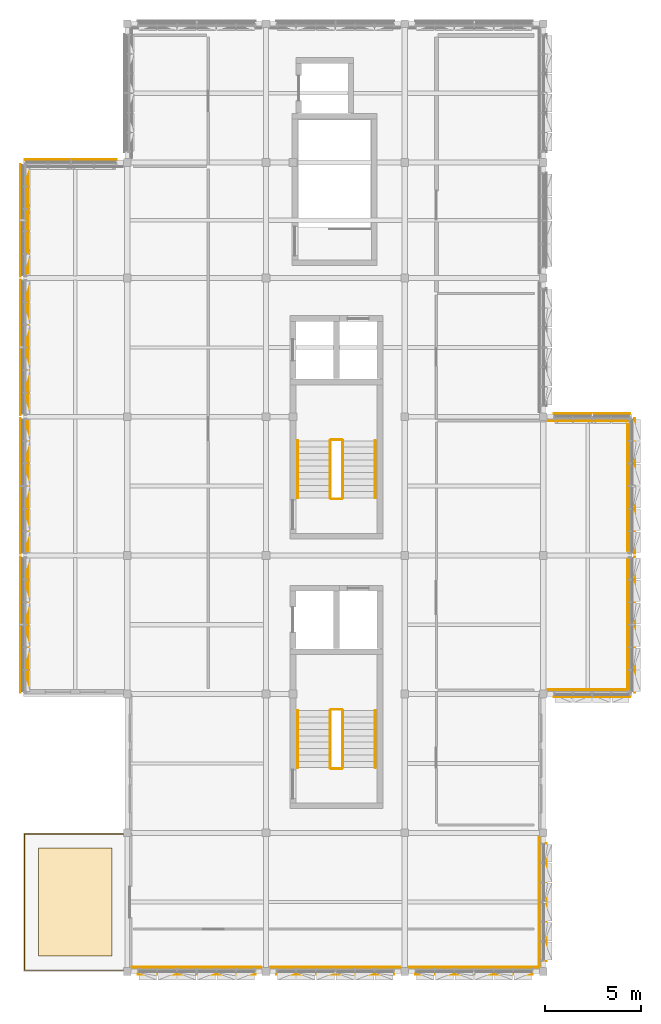
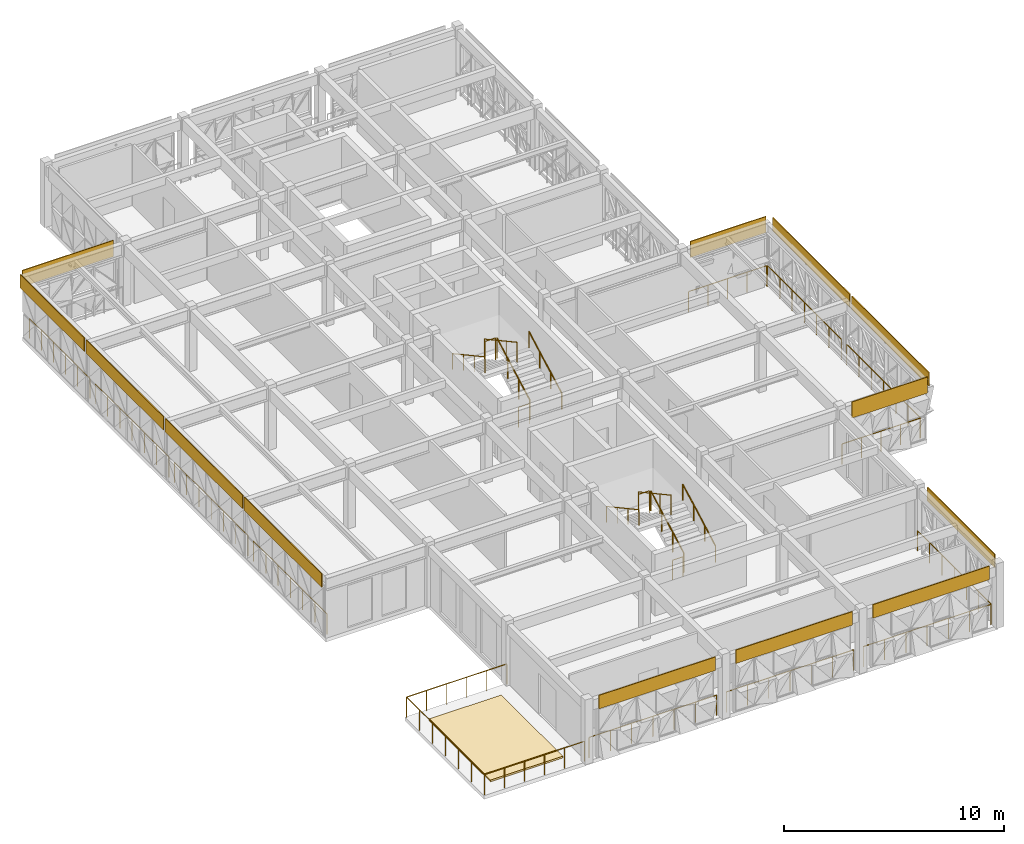
# One storey, part 20 of 25: 25 railings, 14 coverings.
"""IFC4 building model written with IfcOpenShell, lengths in metres."""

from ifc_helpers import new_model, si_unit, direction, frame, origin, origin_2d, place, context, subcontext, project, spatial, polyline, circle, outline, extrude, material, layer, layer_set, type_object, element, save


model = new_model("IFC4")

# Units and contexts
model_context = context("Model", 3, precision=1e-05, world=origin(), true_north=direction((0.0, 1.0)))
body_context = subcontext(model_context, "Body", "Model", "MODEL_VIEW")
ifc_project = project(units=[si_unit("LENGTHUNIT", "METRE"), si_unit("AREAUNIT", "SQUARE_METRE"), si_unit("VOLUMEUNIT", "CUBIC_METRE"), si_unit("PLANEANGLEUNIT", "RADIAN"), si_unit("MASSUNIT", "GRAM", prefix="KILO")], contexts=[model_context])

# Site, building, storey
site_placement = place(None, origin())
site = spatial("IfcSite", under=ifc_project, at=site_placement, CompositionType="ELEMENT")
building_placement = place(site_placement, origin())
building = spatial("IfcBuilding", under=site, at=building_placement, Name="Alvorim Cloister Faculty of Sciences", CompositionType="ELEMENT")
storey_placement = place(building_placement, frame((0.0, 0.0, 29.699951171875)))
storey = spatial("IfcBuildingStorey", under=building, at=storey_placement, Name="L08", CompositionType="ELEMENT", Elevation=29.699951171875)

# Coverings
ifc_material_1 = material(Name="Anodised Aluminium Alloy 6063-T6", Category="aluminium")
ifc_layer_1 = layer(ifc_material_1, 0.031982421875)
ifc_layer_set_1 = layer_set([ifc_layer_1], Name="Anodised Aluminium Alloy 6063-T6")
covering_type_1 = type_object("IfcCoveringType", Name="COV-FAC-CAS", PredefinedType="CLADDING", material=ifc_layer_set_1)
for number, where, z_axis, x_axis, name in (
    (1, (1.64990234375, 21.679931640625, 2.84716796875), (0.0, 0.0, 1.0), (0.0, 1.0, 0.0), "L08 Shifted Bar Slab-Edge Architectural Fascia"),
    (2, (1.64990234375, 28.8798828125, 2.84716796875), (0.0, 0.0, 1.0), (0.0, 1.0, 0.0), "L08 Shifted Bar Slab-Edge Architectural Fascia"),
    (3, (1.64990234375, 36.080078125, 2.84716796875), (0.0, 0.0, 1.0), (0.0, 1.0, 0.0), "L08 Shifted Bar Slab-Edge Architectural Fascia"),
):
    element("IfcCovering", number, at=place(storey_placement, frame(where, z_axis=z_axis, x_axis=x_axis)), inside=storey, type_object=covering_type_1, Name=name, PredefinedType="CLADDING", context=body_context, shape_type="SweptSolid", body=[
        extrude(outline(polyline([(0.0, 0.0), (7.0400390625, 0.0), (7.0400390625, 0.742919921875), (0.0, 0.742919921875), (0.0, 0.0)])), frame((0.0, 0.0224609375, 0.0), z_axis=(0.0, -1.0, 0.0), x_axis=(1.0, 0.0, 0.0)), (0.0, 0.0, 1.0), 0.044921875),
    ])
covering_1_placement = place(storey_placement, frame((1.64990234375, 43.280029296875, 2.84716796875), z_axis=(0.0, 0.0, 1.0), x_axis=(0.0, 1.0, 0.0)))
element("IfcCovering", 4, at=covering_1_placement, inside=storey, type_object=covering_type_1, Name="L08 Shifted Bar Slab-Edge Architectural Fascia", PredefinedType="CLADDING", context=body_context, shape_type="SweptSolid", body=[
    extrude(outline(polyline([(0.0, 0.0), (5.840087890625, 0.0), (5.840087890625, 0.742919921875), (0.0, 0.742919921875), (0.0, 0.0)])), frame((0.0, 0.0224609375, 0.0), z_axis=(0.0, -1.0, 0.0), x_axis=(1.0, 0.0, 0.0)), (0.0, 0.0, 1.0), 0.044921875),
])
covering_2_placement = place(storey_placement, frame((1.8798828125, 49.35009765625, 2.696044921875), z_axis=(0.0, 0.0, 1.0), x_axis=(1.0, 0.0, 0.0)))
element("IfcCovering", 5, at=covering_2_placement, inside=storey, type_object=covering_type_1, Name="L08 Shifted Bar Slab-Edge Architectural Fascia", PredefinedType="CLADDING", context=body_context, shape_type="SweptSolid", body=[
    extrude(outline(polyline([(0.0, 0.0), (4.780029296875, 0.0), (4.780029296875, 0.89404296875), (0.0, 0.89404296875), (0.0, 0.0)])), frame((0.0, 0.0224609375, 0.0), z_axis=(0.0, -1.0, 0.0), x_axis=(1.0, 0.0, 0.0)), (0.0, 0.0, 1.0), 0.044921875),
])
covering_3_placement = place(storey_placement, frame((29.340087890625, 36.14990234375, 2.696044921875), z_axis=(0.0, 0.0, 1.0), x_axis=(1.0, 0.0, 0.0)))
element("IfcCovering", 6, at=covering_3_placement, inside=storey, type_object=covering_type_1, Name="L08 Shifted Bar Slab-Edge Architectural Fascia", PredefinedType="CLADDING", context=body_context, shape_type="SweptSolid", body=[
    extrude(outline(polyline([(0.0, 0.0), (3.97998046875, 0.0), (3.97998046875, 0.89404296875), (0.0, 0.89404296875), (0.0, 0.0)])), frame((0.0, 0.0224609375, 0.0), z_axis=(0.0, -1.0, 0.0), x_axis=(1.0, 0.0, 0.0)), (0.0, 0.0, 1.0), 0.044921875),
])
for number, where, z_axis, x_axis, name in (
    (7, (33.550048828125, 28.8798828125, 2.84716796875), (0.0, 0.0, 1.0), (0.0, 1.0, 0.0), "L08 Shifted Bar Slab-Edge Architectural Fascia"),
    (8, (33.550048828125, 21.679931640625, 2.84716796875), (0.0, 0.0, 1.0), (0.0, 1.0, 0.0), "L08 Shifted Bar Slab-Edge Architectural Fascia"),
):
    element("IfcCovering", number, at=place(storey_placement, frame(where, z_axis=z_axis, x_axis=x_axis)), inside=storey, type_object=covering_type_1, Name=name, PredefinedType="CLADDING", context=body_context, shape_type="SweptSolid", body=[
        extrude(outline(polyline([(0.0, 0.0), (7.0400390625, 0.0), (7.0400390625, 0.742919921875), (0.0, 0.742919921875), (0.0, 0.0)])), frame((0.0, 0.0224609375, 0.0), z_axis=(0.0, -1.0, 0.0), x_axis=(1.0, 0.0, 0.0)), (0.0, 0.0, 1.0), 0.044921875),
    ])
covering_4_placement = place(storey_placement, frame((29.340087890625, 21.449951171875, 2.696044921875), z_axis=(0.0, 0.0, 1.0), x_axis=(1.0, 0.0, 0.0)))
element("IfcCovering", 9, at=covering_4_placement, inside=storey, type_object=covering_type_1, Name="L08 Shifted Bar Slab-Edge Architectural Fascia", PredefinedType="CLADDING", context=body_context, shape_type="SweptSolid", body=[
    extrude(outline(polyline([(0.0, 0.0), (3.97998046875, 0.0), (3.97998046875, 0.89404296875), (0.0, 0.89404296875), (0.0, 0.0)])), frame((0.0, 0.0224609375, 0.0), z_axis=(0.0, -1.0, 0.0), x_axis=(1.0, 0.0, 0.0)), (0.0, 0.0, 1.0), 0.044921875),
])
for number, where, z_axis, x_axis, name in (
    (10, (28.949951171875, 7.739990234375, 2.840087890625), (0.0, 0.0, 1.0), (0.0, 1.0, 0.0), "L08 Shifted Bar Slab-Edge Architectural Fascia"),
    (11, (22.139892578125, 7.050048828125, 2.840087890625), (0.0, 0.0, 1.0), (1.0, 0.0, 0.0), "L08 Shifted Bar Slab-Edge Architectural Fascia"),
    (12, (14.93994140625, 7.050048828125, 2.840087890625), (0.0, 0.0, 1.0), (1.0, 0.0, 0.0), "L08 Shifted Bar Slab-Edge Architectural Fascia"),
    (13, (7.739990234375, 7.050048828125, 2.840087890625), (0.0, 0.0, 1.0), (1.0, 0.0, 0.0), "L08 Shifted Bar Slab-Edge Architectural Fascia"),
):
    element("IfcCovering", number, at=place(storey_placement, frame(where, z_axis=z_axis, x_axis=x_axis)), inside=storey, type_object=covering_type_1, Name=name, PredefinedType="CLADDING", context=body_context, shape_type="SweptSolid", body=[
        extrude(outline(polyline([(0.0, 0.0), (6.1201171875, 0.0), (6.1201171875, 0.75), (0.0, 0.75), (0.0, 0.0)])), frame((0.0, 0.0224609375, 0.0), z_axis=(0.0, -1.0, 0.0), x_axis=(1.0, 0.0, 0.0)), (0.0, 0.0, 1.0), 0.044921875),
    ])
ifc_material_2 = material(Name="Intensive Vegetated Substrate", Category="earth")
ifc_layer_2 = layer(ifc_material_2, 0.10009765625)
ifc_layer_set_2 = layer_set([ifc_layer_2], Name="Intensive Vegetated Substrate")
covering_type_2 = type_object("IfcCoveringType", Name="COV-ROOF-GREEN", PredefinedType="ROOFING", material=ifc_layer_set_2)
covering_5_placement = place(storey_placement, origin())
element("IfcCovering", 14, at=covering_5_placement, inside=storey, type_object=covering_type_2, Name="L08 South-West Cantilever Sky Terrace Quota Ambiental Vegetated Substrate", PredefinedType="ROOFING", context=body_context, shape_type="SweptSolid", body=[
    extrude(outline(polyline([(2.60009765625, 8.0), (6.39990234375, 8.0), (6.39990234375, 13.60009765625), (2.60009765625, 13.60009765625), (2.60009765625, 8.0)])), origin(), (0.0, 0.0, 1.0), 0.10009765625),
])

# Railings
ifc_material_3 = material(Name="Laminated Safety Glass and Bronze", Category="glass")
railing_type_1 = type_object("IfcRailingType", Name="RL-ATR-BAL-1150", PredefinedType="BALUSTRADE", material=ifc_material_3)
for number, where, name in (
    (15, (2.02001953125, 21.85009765625, 0.0), "L08 Curtain Wall Sill Guard BL-275"),
    (16, (2.02001953125, 29.050048828125, 0.0), "L08 Curtain Wall Sill Guard BL-276"),
    (17, (2.02001953125, 36.25, 0.0), "L08 Curtain Wall Sill Guard BL-277"),
):
    element("IfcRailing", number, at=place(storey_placement, frame(where)), inside=storey, type_object=railing_type_1, Name=name, PredefinedType="BALUSTRADE", context=body_context, shape_type="SweptSolid", body=[
        extrude(circle(Radius=0.02392578125, at=origin_2d()), frame((0.0, 0.0, 1.1259765625), z_axis=(0.0, 1.0, 0.0), x_axis=(-1.0, 0.0, 0.0)), (0.0, 0.0, 1.0), 6.699951171875),
        extrude(circle(Radius=0.02099609375, at=origin_2d()), origin(), (0.0, 0.0, 1.0), 1.101806640625),
        extrude(circle(Radius=0.02099609375, at=origin_2d()), frame((0.0, 1.11669921875, 0.0)), (0.0, 0.0, 1.0), 1.101806640625),
        extrude(circle(Radius=0.02099609375, at=origin_2d()), frame((0.0, 2.2333984375, 0.0)), (0.0, 0.0, 1.0), 1.101806640625),
        extrude(circle(Radius=0.02099609375, at=origin_2d()), frame((0.0, 3.35009765625, 0.0)), (0.0, 0.0, 1.0), 1.101806640625),
        extrude(circle(Radius=0.02099609375, at=origin_2d()), frame((0.0, 4.466552734375, 0.0)), (0.0, 0.0, 1.0), 1.101806640625),
        extrude(circle(Radius=0.02099609375, at=origin_2d()), frame((0.0, 5.583251953125, 0.0)), (0.0, 0.0, 1.0), 1.101806640625),
        extrude(circle(Radius=0.02099609375, at=origin_2d()), frame((0.0, 6.699951171875, 0.0)), (0.0, 0.0, 1.0), 1.101806640625),
    ])
railing_1_placement = place(storey_placement, frame((2.02001953125, 43.449951171875, 0.0)))
element("IfcRailing", 18, at=railing_1_placement, inside=storey, type_object=railing_type_1, Name="L08 Curtain Wall Sill Guard BL-278", PredefinedType="BALUSTRADE", context=body_context, shape_type="SweptSolid", body=[
    extrude(circle(Radius=0.02392578125, at=origin_2d()), frame((0.0, 0.0, 1.1259765625), z_axis=(0.0, 1.0, 0.0), x_axis=(-1.0, 0.0, 0.0)), (0.0, 0.0, 1.0), 5.5),
    extrude(circle(Radius=0.02099609375, at=origin_2d()), origin(), (0.0, 0.0, 1.0), 1.101806640625),
    extrude(circle(Radius=0.02099609375, at=origin_2d()), frame((0.0, 1.10009765625, 0.0)), (0.0, 0.0, 1.0), 1.101806640625),
    extrude(circle(Radius=0.02099609375, at=origin_2d()), frame((0.0, 2.199951171875, 0.0)), (0.0, 0.0, 1.0), 1.101806640625),
    extrude(circle(Radius=0.02099609375, at=origin_2d()), frame((0.0, 3.300048828125, 0.0)), (0.0, 0.0, 1.0), 1.101806640625),
    extrude(circle(Radius=0.02099609375, at=origin_2d()), frame((0.0, 4.39990234375, 0.0)), (0.0, 0.0, 1.0), 1.101806640625),
    extrude(circle(Radius=0.02099609375, at=origin_2d()), frame((0.0, 5.5, 0.0)), (0.0, 0.0, 1.0), 1.101806640625),
])
railing_2_placement = place(storey_placement, frame((29.050048828125, 35.780029296875, 0.0)))
element("IfcRailing", 19, at=railing_2_placement, inside=storey, type_object=railing_type_1, Name="L08 Curtain Wall Sill Guard BL-287", PredefinedType="BALUSTRADE", context=body_context, shape_type="SweptSolid", body=[
    extrude(circle(Radius=0.02392578125, at=origin_2d()), frame((0.0, 0.0, 1.1259765625), z_axis=(1.0, 0.0, 0.0), x_axis=(0.0, 1.0, 0.0)), (0.0, 0.0, 1.0), 4.099853515625),
    extrude(circle(Radius=0.02099609375, at=origin_2d()), origin(), (0.0, 0.0, 1.0), 1.101806640625),
    extrude(circle(Radius=0.02099609375, at=origin_2d()), frame((1.02490234375, 0.0, 0.0)), (0.0, 0.0, 1.0), 1.101806640625),
    extrude(circle(Radius=0.02099609375, at=origin_2d()), frame((2.0498046875, 0.0, 0.0)), (0.0, 0.0, 1.0), 1.101806640625),
    extrude(circle(Radius=0.02099609375, at=origin_2d()), frame((3.074951171875, 0.0, 0.0)), (0.0, 0.0, 1.0), 1.101806640625),
    extrude(circle(Radius=0.02099609375, at=origin_2d()), frame((4.099853515625, 0.0, 0.0)), (0.0, 0.0, 1.0), 1.101806640625),
])
for number, where, name in (
    (20, (33.179931640625, 29.050048828125, 0.0), "L08 Curtain Wall Sill Guard BL-288"),
    (21, (33.179931640625, 21.85009765625, 0.0), "L08 Curtain Wall Sill Guard BL-289"),
):
    element("IfcRailing", number, at=place(storey_placement, frame(where)), inside=storey, type_object=railing_type_1, Name=name, PredefinedType="BALUSTRADE", context=body_context, shape_type="SweptSolid", body=[
        extrude(circle(Radius=0.02392578125, at=origin_2d()), frame((0.0, 0.0, 1.1259765625), z_axis=(0.0, 1.0, 0.0), x_axis=(-1.0, 0.0, 0.0)), (0.0, 0.0, 1.0), 6.699951171875),
        extrude(circle(Radius=0.02099609375, at=origin_2d()), origin(), (0.0, 0.0, 1.0), 1.101806640625),
        extrude(circle(Radius=0.02099609375, at=origin_2d()), frame((0.0, 1.11669921875, 0.0)), (0.0, 0.0, 1.0), 1.101806640625),
        extrude(circle(Radius=0.02099609375, at=origin_2d()), frame((0.0, 2.2333984375, 0.0)), (0.0, 0.0, 1.0), 1.101806640625),
        extrude(circle(Radius=0.02099609375, at=origin_2d()), frame((0.0, 3.35009765625, 0.0)), (0.0, 0.0, 1.0), 1.101806640625),
        extrude(circle(Radius=0.02099609375, at=origin_2d()), frame((0.0, 4.466552734375, 0.0)), (0.0, 0.0, 1.0), 1.101806640625),
        extrude(circle(Radius=0.02099609375, at=origin_2d()), frame((0.0, 5.583251953125, 0.0)), (0.0, 0.0, 1.0), 1.101806640625),
        extrude(circle(Radius=0.02099609375, at=origin_2d()), frame((0.0, 6.699951171875, 0.0)), (0.0, 0.0, 1.0), 1.101806640625),
    ])
railing_3_placement = place(storey_placement, frame((29.050048828125, 21.820068359375, 0.0)))
element("IfcRailing", 22, at=railing_3_placement, inside=storey, type_object=railing_type_1, Name="L08 Curtain Wall Sill Guard BL-290", PredefinedType="BALUSTRADE", context=body_context, shape_type="SweptSolid", body=[
    extrude(circle(Radius=0.02392578125, at=origin_2d()), frame((0.0, 0.0, 1.1259765625), z_axis=(1.0, 0.0, 0.0), x_axis=(0.0, 1.0, 0.0)), (0.0, 0.0, 1.0), 4.099853515625),
    extrude(circle(Radius=0.02099609375, at=origin_2d()), origin(), (0.0, 0.0, 1.0), 1.101806640625),
    extrude(circle(Radius=0.02099609375, at=origin_2d()), frame((1.02490234375, 0.0, 0.0)), (0.0, 0.0, 1.0), 1.101806640625),
    extrude(circle(Radius=0.02099609375, at=origin_2d()), frame((2.0498046875, 0.0, 0.0)), (0.0, 0.0, 1.0), 1.101806640625),
    extrude(circle(Radius=0.02099609375, at=origin_2d()), frame((3.074951171875, 0.0, 0.0)), (0.0, 0.0, 1.0), 1.101806640625),
    extrude(circle(Radius=0.02099609375, at=origin_2d()), frame((4.099853515625, 0.0, 0.0)), (0.0, 0.0, 1.0), 1.101806640625),
])
railing_4_placement = place(storey_placement, frame((28.580078125, 7.449951171875, 0.0)))
element("IfcRailing", 23, at=railing_4_placement, inside=storey, type_object=railing_type_1, Name="L08 Curtain Wall Sill Guard BL-291", PredefinedType="BALUSTRADE", context=body_context, shape_type="SweptSolid", body=[
    extrude(circle(Radius=0.02392578125, at=origin_2d()), frame((0.0, 0.0, 1.1259765625), z_axis=(0.0, 1.0, 0.0), x_axis=(-1.0, 0.0, 0.0)), (0.0, 0.0, 1.0), 6.699951171875),
    extrude(circle(Radius=0.02099609375, at=origin_2d()), origin(), (0.0, 0.0, 1.0), 1.101806640625),
    extrude(circle(Radius=0.02099609375, at=origin_2d()), frame((0.0, 1.11669921875, 0.0)), (0.0, 0.0, 1.0), 1.101806640625),
    extrude(circle(Radius=0.02099609375, at=origin_2d()), frame((0.0, 2.2333984375, 0.0)), (0.0, 0.0, 1.0), 1.101806640625),
    extrude(circle(Radius=0.02099609375, at=origin_2d()), frame((0.0, 3.35009765625, 0.0)), (0.0, 0.0, 1.0), 1.101806640625),
    extrude(circle(Radius=0.02099609375, at=origin_2d()), frame((0.0, 4.466552734375, 0.0)), (0.0, 0.0, 1.0), 1.101806640625),
    extrude(circle(Radius=0.02099609375, at=origin_2d()), frame((0.0, 5.583251953125, 0.0)), (0.0, 0.0, 1.0), 1.101806640625),
    extrude(circle(Radius=0.02099609375, at=origin_2d()), frame((0.0, 6.699951171875, 0.0)), (0.0, 0.0, 1.0), 1.101806640625),
])
railing_5_placement = place(storey_placement, frame((21.85009765625, 7.419921875, 0.0)))
element("IfcRailing", 24, at=railing_5_placement, inside=storey, type_object=railing_type_1, Name="L08 Curtain Wall Sill Guard BL-292", PredefinedType="BALUSTRADE", context=body_context, shape_type="SweptSolid", body=[
    extrude(circle(Radius=0.02392578125, at=origin_2d()), frame((0.0, 0.0, 1.1259765625), z_axis=(1.0, 0.0, 0.0), x_axis=(0.0, 1.0, 0.0)), (0.0, 0.0, 1.0), 6.699951171875),
    extrude(circle(Radius=0.02099609375, at=origin_2d()), origin(), (0.0, 0.0, 1.0), 1.101806640625),
    extrude(circle(Radius=0.02099609375, at=origin_2d()), frame((1.11669921875, 0.0, 0.0)), (0.0, 0.0, 1.0), 1.101806640625),
    extrude(circle(Radius=0.02099609375, at=origin_2d()), frame((2.2333984375, 0.0, 0.0)), (0.0, 0.0, 1.0), 1.101806640625),
    extrude(circle(Radius=0.02099609375, at=origin_2d()), frame((3.35009765625, 0.0, 0.0)), (0.0, 0.0, 1.0), 1.101806640625),
    extrude(circle(Radius=0.02099609375, at=origin_2d()), frame((4.466552734375, 0.0, 0.0)), (0.0, 0.0, 1.0), 1.101806640625),
    extrude(circle(Radius=0.02099609375, at=origin_2d()), frame((5.583251953125, 0.0, 0.0)), (0.0, 0.0, 1.0), 1.101806640625),
    extrude(circle(Radius=0.02099609375, at=origin_2d()), frame((6.699951171875, 0.0, 0.0)), (0.0, 0.0, 1.0), 1.101806640625),
])
railing_6_placement = place(storey_placement, frame((14.64990234375, 7.419921875, 0.0)))
element("IfcRailing", 25, at=railing_6_placement, inside=storey, type_object=railing_type_1, Name="L08 Curtain Wall Sill Guard BL-293", PredefinedType="BALUSTRADE", context=body_context, shape_type="SweptSolid", body=[
    extrude(circle(Radius=0.02392578125, at=origin_2d()), frame((0.0, 0.0, 1.1259765625), z_axis=(1.0, 0.0, 0.0), x_axis=(0.0, 1.0, 0.0)), (0.0, 0.0, 1.0), 6.7001953125),
    extrude(circle(Radius=0.02099609375, at=origin_2d()), origin(), (0.0, 0.0, 1.0), 1.101806640625),
    extrude(circle(Radius=0.02099609375, at=origin_2d()), frame((1.11669921875, 0.0, 0.0)), (0.0, 0.0, 1.0), 1.101806640625),
    extrude(circle(Radius=0.02099609375, at=origin_2d()), frame((2.2333984375, 0.0, 0.0)), (0.0, 0.0, 1.0), 1.101806640625),
    extrude(circle(Radius=0.02099609375, at=origin_2d()), frame((3.35009765625, 0.0, 0.0)), (0.0, 0.0, 1.0), 1.101806640625),
    extrude(circle(Radius=0.02099609375, at=origin_2d()), frame((4.466796875, 0.0, 0.0)), (0.0, 0.0, 1.0), 1.101806640625),
    extrude(circle(Radius=0.02099609375, at=origin_2d()), frame((5.58349609375, 0.0, 0.0)), (0.0, 0.0, 1.0), 1.101806640625),
    extrude(circle(Radius=0.02099609375, at=origin_2d()), frame((6.7001953125, 0.0, 0.0)), (0.0, 0.0, 1.0), 1.101806640625),
])
railing_7_placement = place(storey_placement, frame((7.449951171875, 7.419921875, 0.0)))
element("IfcRailing", 26, at=railing_7_placement, inside=storey, type_object=railing_type_1, Name="L08 Curtain Wall Sill Guard BL-294", PredefinedType="BALUSTRADE", context=body_context, shape_type="SweptSolid", body=[
    extrude(circle(Radius=0.02392578125, at=origin_2d()), frame((0.0, 0.0, 1.1259765625), z_axis=(1.0, 0.0, 0.0), x_axis=(0.0, 1.0, 0.0)), (0.0, 0.0, 1.0), 6.699951171875),
    extrude(circle(Radius=0.02099609375, at=origin_2d()), origin(), (0.0, 0.0, 1.0), 1.101806640625),
    extrude(circle(Radius=0.02099609375, at=origin_2d()), frame((1.11669921875, 0.0, 0.0)), (0.0, 0.0, 1.0), 1.101806640625),
    extrude(circle(Radius=0.02099609375, at=origin_2d()), frame((2.2333984375, 0.0, 0.0)), (0.0, 0.0, 1.0), 1.101806640625),
    extrude(circle(Radius=0.02099609375, at=origin_2d()), frame((3.35009765625, 0.0, 0.0)), (0.0, 0.0, 1.0), 1.101806640625),
    extrude(circle(Radius=0.02099609375, at=origin_2d()), frame((4.466552734375, 0.0, 0.0)), (0.0, 0.0, 1.0), 1.101806640625),
    extrude(circle(Radius=0.02099609375, at=origin_2d()), frame((5.583251953125, 0.0, 0.0)), (0.0, 0.0, 1.0), 1.101806640625),
    extrude(circle(Radius=0.02099609375, at=origin_2d()), frame((6.699951171875, 0.0, 0.0)), (0.0, 0.0, 1.0), 1.101806640625),
])
ifc_material_4 = material(Name="Galvanised Painted Steel", Category="steel")
railing_type_2 = type_object("IfcRailingType", Name="RL-STR-GUARD", PredefinedType="GUARDRAIL", material=ifc_material_4)
railing_8_placement = place(storey_placement, frame((18.389892578125, 17.780029296875, 0.179931640625)))
element("IfcRailing", 27, at=railing_8_placement, inside=storey, type_object=railing_type_2, Name="L08 ST-01 stair guard 1", PredefinedType="GUARDRAIL", context=body_context, shape_type="SweptSolid", body=[
    extrude(circle(Radius=0.02392578125, at=origin_2d()), frame((0.0, 0.0, 1.09619140625), z_axis=(0.0, 0.877879025156, 0.47888246699), x_axis=(-1.0, 0.0, 0.0)), (0.0, 0.0, 1.0), 3.383056640625),
    extrude(circle(Radius=0.02099609375, at=origin_2d()), origin(), (0.0, 0.0, 1.0), 1.072021484375),
    extrude(circle(Radius=0.02099609375, at=origin_2d()), frame((0.0, 0.989990234375, 0.5400390625)), (0.0, 0.0, 1.0), 1.072021484375),
    extrude(circle(Radius=0.02099609375, at=origin_2d()), frame((0.0, 1.97998046875, 1.080078125)), (0.0, 0.0, 1.0), 1.072021484375),
    extrude(circle(Radius=0.02099609375, at=origin_2d()), frame((0.0, 2.969970703125, 1.6201171875)), (0.0, 0.0, 1.0), 1.072021484375),
])
railing_9_placement = place(storey_placement, frame((18.340087890625, 20.800048828125, 1.800048828125)))
element("IfcRailing", 28, at=railing_9_placement, inside=storey, type_object=railing_type_2, Name="L08 ST-01 stair guard 2", PredefinedType="GUARDRAIL", context=body_context, shape_type="SweptSolid", body=[
    extrude(circle(Radius=0.02392578125, at=origin_2d()), frame((0.0, 0.0, 1.09619140625), z_axis=(-1.0, 0.0, 0.0), x_axis=(0.0, -1.0, 0.0)), (0.0, 0.0, 1.0), 0.56005859375),
    extrude(circle(Radius=0.02099609375, at=origin_2d()), origin(), (0.0, 0.0, 1.0), 1.072021484375),
    extrude(circle(Radius=0.02099609375, at=origin_2d()), frame((-0.56005859375, 0.0, 0.0)), (0.0, 0.0, 1.0), 1.072021484375),
])
railing_10_placement = place(storey_placement, frame((17.72998046875, 20.75, 1.97998046875)))
element("IfcRailing", 29, at=railing_10_placement, inside=storey, type_object=railing_type_2, Name="L08 ST-01 stair guard 3", PredefinedType="GUARDRAIL", context=body_context, shape_type="SweptSolid", body=[
    extrude(circle(Radius=0.02392578125, at=origin_2d()), frame((0.0, 0.0, 1.09619140625), z_axis=(0.0, -0.877879025156, 0.47888246699), x_axis=(1.0, 0.0, 0.0)), (0.0, 0.0, 1.0), 3.383056640625),
    extrude(circle(Radius=0.02099609375, at=origin_2d()), origin(), (0.0, 0.0, 1.0), 1.072021484375),
    extrude(circle(Radius=0.02099609375, at=origin_2d()), frame((0.0, -0.989990234375, 0.5400390625)), (0.0, 0.0, 1.0), 1.072021484375),
    extrude(circle(Radius=0.02099609375, at=origin_2d()), frame((0.0, -1.97998046875, 1.080078125)), (0.0, 0.0, 1.0), 1.072021484375),
    extrude(circle(Radius=0.02099609375, at=origin_2d()), frame((0.0, -2.969970703125, 1.6201171875)), (0.0, 0.0, 1.0), 1.072021484375),
])
railing_11_placement = place(storey_placement, frame((18.340087890625, 17.72998046875, 0.0)))
element("IfcRailing", 30, at=railing_11_placement, inside=storey, type_object=railing_type_2, Name="L08 ST-01 stair guard 4", PredefinedType="GUARDRAIL", context=body_context, shape_type="SweptSolid", body=[
    extrude(circle(Radius=0.02392578125, at=origin_2d()), frame((0.0, 0.0, 1.09619140625), z_axis=(-1.0, 0.0, 0.0), x_axis=(0.0, -1.0, 0.0)), (0.0, 0.0, 1.0), 0.56005859375),
    extrude(circle(Radius=0.02099609375, at=origin_2d()), origin(), (0.0, 0.0, 1.0), 1.072021484375),
    extrude(circle(Radius=0.02099609375, at=origin_2d()), frame((-0.56005859375, 0.0, 0.0)), (0.0, 0.0, 1.0), 1.072021484375),
])
railing_12_placement = place(storey_placement, frame((18.389892578125, 31.780029296875, 0.179931640625)))
element("IfcRailing", 31, at=railing_12_placement, inside=storey, type_object=railing_type_2, Name="L08 ST-02 stair guard 1", PredefinedType="GUARDRAIL", context=body_context, shape_type="SweptSolid", body=[
    extrude(circle(Radius=0.02392578125, at=origin_2d()), frame((0.0, 0.0, 1.09619140625), z_axis=(0.0, 0.877879025156, 0.47888246699), x_axis=(-1.0, 0.0, 0.0)), (0.0, 0.0, 1.0), 3.383056640625),
    extrude(circle(Radius=0.02099609375, at=origin_2d()), origin(), (0.0, 0.0, 1.0), 1.072021484375),
    extrude(circle(Radius=0.02099609375, at=origin_2d()), frame((0.0, 0.989990234375, 0.5400390625)), (0.0, 0.0, 1.0), 1.072021484375),
    extrude(circle(Radius=0.02099609375, at=origin_2d()), frame((0.0, 1.97998046875, 1.080078125)), (0.0, 0.0, 1.0), 1.072021484375),
    extrude(circle(Radius=0.02099609375, at=origin_2d()), frame((0.0, 2.969970703125, 1.6201171875)), (0.0, 0.0, 1.0), 1.072021484375),
])
railing_13_placement = place(storey_placement, frame((18.340087890625, 34.800048828125, 1.800048828125)))
element("IfcRailing", 32, at=railing_13_placement, inside=storey, type_object=railing_type_2, Name="L08 ST-02 stair guard 2", PredefinedType="GUARDRAIL", context=body_context, shape_type="SweptSolid", body=[
    extrude(circle(Radius=0.02392578125, at=origin_2d()), frame((0.0, 0.0, 1.09619140625), z_axis=(-1.0, 0.0, 0.0), x_axis=(0.0, -1.0, 0.0)), (0.0, 0.0, 1.0), 0.56005859375),
    extrude(circle(Radius=0.02099609375, at=origin_2d()), origin(), (0.0, 0.0, 1.0), 1.072021484375),
    extrude(circle(Radius=0.02099609375, at=origin_2d()), frame((-0.56005859375, 0.0, 0.0)), (0.0, 0.0, 1.0), 1.072021484375),
])
railing_14_placement = place(storey_placement, frame((17.72998046875, 34.75, 1.97998046875)))
element("IfcRailing", 33, at=railing_14_placement, inside=storey, type_object=railing_type_2, Name="L08 ST-02 stair guard 3", PredefinedType="GUARDRAIL", context=body_context, shape_type="SweptSolid", body=[
    extrude(circle(Radius=0.02392578125, at=origin_2d()), frame((0.0, 0.0, 1.09619140625), z_axis=(0.0, -0.877879025156, 0.47888246699), x_axis=(1.0, 0.0, 0.0)), (0.0, 0.0, 1.0), 3.383056640625),
    extrude(circle(Radius=0.02099609375, at=origin_2d()), origin(), (0.0, 0.0, 1.0), 1.072021484375),
    extrude(circle(Radius=0.02099609375, at=origin_2d()), frame((0.0, -0.989990234375, 0.5400390625)), (0.0, 0.0, 1.0), 1.072021484375),
    extrude(circle(Radius=0.02099609375, at=origin_2d()), frame((0.0, -1.97998046875, 1.080078125)), (0.0, 0.0, 1.0), 1.072021484375),
    extrude(circle(Radius=0.02099609375, at=origin_2d()), frame((0.0, -2.969970703125, 1.6201171875)), (0.0, 0.0, 1.0), 1.072021484375),
])
railing_15_placement = place(storey_placement, frame((18.340087890625, 31.72998046875, 0.0)))
element("IfcRailing", 34, at=railing_15_placement, inside=storey, type_object=railing_type_2, Name="L08 ST-02 stair guard 4", PredefinedType="GUARDRAIL", context=body_context, shape_type="SweptSolid", body=[
    extrude(circle(Radius=0.02392578125, at=origin_2d()), frame((0.0, 0.0, 1.09619140625), z_axis=(-1.0, 0.0, 0.0), x_axis=(0.0, -1.0, 0.0)), (0.0, 0.0, 1.0), 0.56005859375),
    extrude(circle(Radius=0.02099609375, at=origin_2d()), origin(), (0.0, 0.0, 1.0), 1.072021484375),
    extrude(circle(Radius=0.02099609375, at=origin_2d()), frame((-0.56005859375, 0.0, 0.0)), (0.0, 0.0, 1.0), 1.072021484375),
])
ifc_material_5 = material(Name="Brushed Stainless Steel", Category="steel")
railing_type_3 = type_object("IfcRailingType", Name="RL-STR-HAND", PredefinedType="HANDRAIL", material=ifc_material_5)
railing_16_placement = place(storey_placement, frame((20.070068359375, 17.780029296875, 0.179931640625)))
element("IfcRailing", 35, at=railing_16_placement, inside=storey, type_object=railing_type_3, Name="L08 ST-01 stair handrail 1", PredefinedType="HANDRAIL", context=body_context, shape_type="SweptSolid", body=[
    extrude(circle(Radius=0.02392578125, at=origin_2d()), frame((0.0, 0.0, 0.8759765625), z_axis=(0.0, 0.877879025156, 0.47888246699), x_axis=(-1.0, 0.0, 0.0)), (0.0, 0.0, 1.0), 3.383056640625),
    extrude(circle(Radius=0.02099609375, at=origin_2d()), origin(), (0.0, 0.0, 1.0), 0.851806640625),
    extrude(circle(Radius=0.02099609375, at=origin_2d()), frame((0.0, 0.989990234375, 0.5400390625)), (0.0, 0.0, 1.0), 0.851806640625),
    extrude(circle(Radius=0.02099609375, at=origin_2d()), frame((0.0, 1.97998046875, 1.080078125)), (0.0, 0.0, 1.0), 0.851806640625),
    extrude(circle(Radius=0.02099609375, at=origin_2d()), frame((0.0, 2.969970703125, 1.6201171875)), (0.0, 0.0, 1.0), 0.851806640625),
])
railing_17_placement = place(storey_placement, frame((16.050048828125, 20.75, 1.97998046875)))
element("IfcRailing", 36, at=railing_17_placement, inside=storey, type_object=railing_type_3, Name="L08 ST-01 stair handrail 2", PredefinedType="HANDRAIL", context=body_context, shape_type="SweptSolid", body=[
    extrude(circle(Radius=0.02392578125, at=origin_2d()), frame((0.0, 0.0, 0.8759765625), z_axis=(0.0, -0.877879025156, 0.47888246699), x_axis=(1.0, 0.0, 0.0)), (0.0, 0.0, 1.0), 3.383056640625),
    extrude(circle(Radius=0.02099609375, at=origin_2d()), origin(), (0.0, 0.0, 1.0), 0.851806640625),
    extrude(circle(Radius=0.02099609375, at=origin_2d()), frame((0.0, -0.989990234375, 0.5400390625)), (0.0, 0.0, 1.0), 0.851806640625),
    extrude(circle(Radius=0.02099609375, at=origin_2d()), frame((0.0, -1.97998046875, 1.080078125)), (0.0, 0.0, 1.0), 0.851806640625),
    extrude(circle(Radius=0.02099609375, at=origin_2d()), frame((0.0, -2.969970703125, 1.6201171875)), (0.0, 0.0, 1.0), 0.851806640625),
])
railing_18_placement = place(storey_placement, frame((20.070068359375, 31.780029296875, 0.179931640625)))
element("IfcRailing", 37, at=railing_18_placement, inside=storey, type_object=railing_type_3, Name="L08 ST-02 stair handrail 1", PredefinedType="HANDRAIL", context=body_context, shape_type="SweptSolid", body=[
    extrude(circle(Radius=0.02392578125, at=origin_2d()), frame((0.0, 0.0, 0.8759765625), z_axis=(0.0, 0.877879025156, 0.47888246699), x_axis=(-1.0, 0.0, 0.0)), (0.0, 0.0, 1.0), 3.383056640625),
    extrude(circle(Radius=0.02099609375, at=origin_2d()), origin(), (0.0, 0.0, 1.0), 0.851806640625),
    extrude(circle(Radius=0.02099609375, at=origin_2d()), frame((0.0, 0.989990234375, 0.5400390625)), (0.0, 0.0, 1.0), 0.851806640625),
    extrude(circle(Radius=0.02099609375, at=origin_2d()), frame((0.0, 1.97998046875, 1.080078125)), (0.0, 0.0, 1.0), 0.851806640625),
    extrude(circle(Radius=0.02099609375, at=origin_2d()), frame((0.0, 2.969970703125, 1.6201171875)), (0.0, 0.0, 1.0), 0.851806640625),
])
railing_19_placement = place(storey_placement, frame((16.050048828125, 34.75, 1.97998046875)))
element("IfcRailing", 38, at=railing_19_placement, inside=storey, type_object=railing_type_3, Name="L08 ST-02 stair handrail 2", PredefinedType="HANDRAIL", context=body_context, shape_type="SweptSolid", body=[
    extrude(circle(Radius=0.02392578125, at=origin_2d()), frame((0.0, 0.0, 0.8759765625), z_axis=(0.0, -0.877879025156, 0.47888246699), x_axis=(1.0, 0.0, 0.0)), (0.0, 0.0, 1.0), 3.383056640625),
    extrude(circle(Radius=0.02099609375, at=origin_2d()), origin(), (0.0, 0.0, 1.0), 0.851806640625),
    extrude(circle(Radius=0.02099609375, at=origin_2d()), frame((0.0, -0.989990234375, 0.5400390625)), (0.0, 0.0, 1.0), 0.851806640625),
    extrude(circle(Radius=0.02099609375, at=origin_2d()), frame((0.0, -1.97998046875, 1.080078125)), (0.0, 0.0, 1.0), 0.851806640625),
    extrude(circle(Radius=0.02099609375, at=origin_2d()), frame((0.0, -2.969970703125, 1.6201171875)), (0.0, 0.0, 1.0), 0.851806640625),
])
railing_type_4 = type_object("IfcRailingType", Name="RL-TER-GUARD-1150", PredefinedType="GUARDRAIL", material=ifc_material_4)
railing_20_placement = place(storey_placement, frame((7.1201171875, 14.340087890625, 0.0)))
element("IfcRailing", 39, at=railing_20_placement, inside=storey, type_object=railing_type_4, Name="L08 South-West Cantilever Sky Terrace Perimeter Guard GR-314", PredefinedType="GUARDRAIL", context=body_context, shape_type="SweptSolid", body=[
    extrude(circle(Radius=0.02392578125, at=origin_2d()), frame((0.0, 0.0, 1.1259765625), z_axis=(-1.0, 0.0, 0.0), x_axis=(0.0, -1.0, 0.0)), (0.0, 0.0, 1.0), 5.260009765625),
    extrude(circle(Radius=0.02392578125, at=origin_2d()), frame((-5.260009765625, 0.0, 1.1259765625), z_axis=(0.0, -1.0, 0.0), x_axis=(1.0, 0.0, 0.0)), (0.0, 0.0, 1.0), 7.080078125),
    extrude(circle(Radius=0.02392578125, at=origin_2d()), frame((-5.260009765625, -7.080078125, 1.1259765625), z_axis=(1.0, 0.0, 0.0), x_axis=(0.0, 1.0, 0.0)), (0.0, 0.0, 1.0), 5.260009765625),
    extrude(circle(Radius=0.02099609375, at=origin_2d()), origin(), (0.0, 0.0, 1.0), 1.101806640625),
    extrude(circle(Radius=0.02099609375, at=origin_2d()), frame((-1.052001953125, 0.0, 0.0)), (0.0, 0.0, 1.0), 1.101806640625),
    extrude(circle(Radius=0.02099609375, at=origin_2d()), frame((-2.10400390625, 0.0, 0.0)), (0.0, 0.0, 1.0), 1.101806640625),
    extrude(circle(Radius=0.02099609375, at=origin_2d()), frame((-3.156005859375, 0.0, 0.0)), (0.0, 0.0, 1.0), 1.101806640625),
    extrude(circle(Radius=0.02099609375, at=origin_2d()), frame((-4.2080078125, 0.0, 0.0)), (0.0, 0.0, 1.0), 1.101806640625),
    extrude(circle(Radius=0.02099609375, at=origin_2d()), frame((-5.260009765625, 0.0, 0.0)), (0.0, 0.0, 1.0), 1.101806640625),
    extrude(circle(Radius=0.02099609375, at=origin_2d()), frame((-5.260009765625, -1.179931640625, 0.0)), (0.0, 0.0, 1.0), 1.101806640625),
    extrude(circle(Radius=0.02099609375, at=origin_2d()), frame((-5.260009765625, -2.360107421875, 0.0)), (0.0, 0.0, 1.0), 1.101806640625),
    extrude(circle(Radius=0.02099609375, at=origin_2d()), frame((-5.260009765625, -3.5400390625, 0.0)), (0.0, 0.0, 1.0), 1.101806640625),
    extrude(circle(Radius=0.02099609375, at=origin_2d()), frame((-5.260009765625, -4.719970703125, 0.0)), (0.0, 0.0, 1.0), 1.101806640625),
    extrude(circle(Radius=0.02099609375, at=origin_2d()), frame((-5.260009765625, -5.900146484375, 0.0)), (0.0, 0.0, 1.0), 1.101806640625),
    extrude(circle(Radius=0.02099609375, at=origin_2d()), frame((-5.260009765625, -7.080078125, 0.0)), (0.0, 0.0, 1.0), 1.101806640625),
    extrude(circle(Radius=0.02099609375, at=origin_2d()), frame((-4.2080078125, -7.080078125, 0.0)), (0.0, 0.0, 1.0), 1.101806640625),
    extrude(circle(Radius=0.02099609375, at=origin_2d()), frame((-3.156005859375, -7.080078125, 0.0)), (0.0, 0.0, 1.0), 1.101806640625),
    extrude(circle(Radius=0.02099609375, at=origin_2d()), frame((-2.10400390625, -7.080078125, 0.0)), (0.0, 0.0, 1.0), 1.101806640625),
    extrude(circle(Radius=0.02099609375, at=origin_2d()), frame((-1.052001953125, -7.080078125, 0.0)), (0.0, 0.0, 1.0), 1.101806640625),
    extrude(circle(Radius=0.02099609375, at=origin_2d()), frame((0.0, -7.080078125, 0.0)), (0.0, 0.0, 1.0), 1.101806640625),
])

save(model, "model.ifc")
